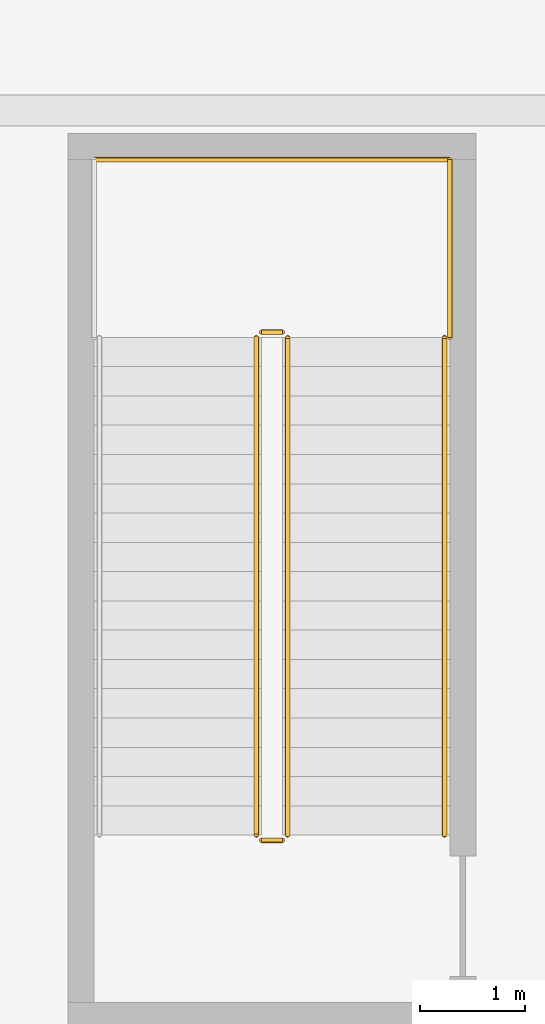
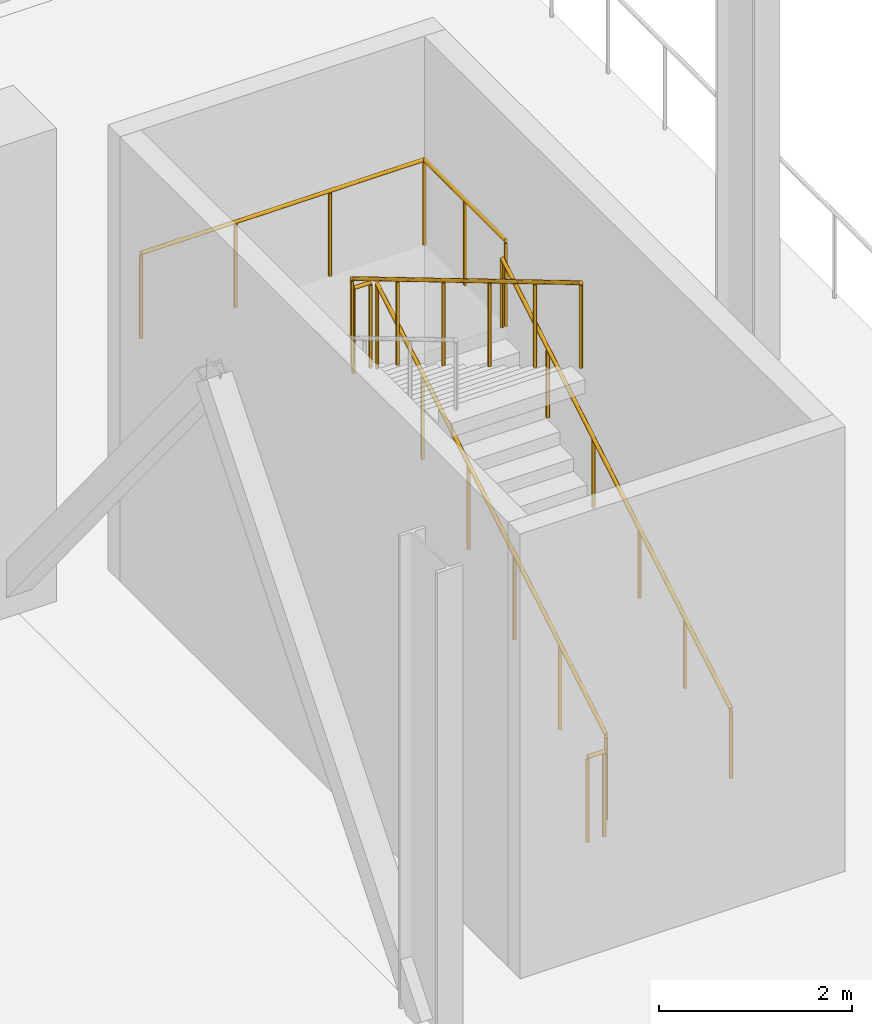
# One storey, part 52 of 58: 7 railings.
"""IFC4 building model written with IfcOpenShell, lengths in metres."""

from ifc_helpers import new_model, si_unit, direction, frame, origin, origin_2d, place, context, subcontext, project, spatial, circle, extrude, material, type_object, element, save


model = new_model("IFC4")

# Units and contexts
model_context = context("Model", 3, precision=1e-05, world=origin(), true_north=direction((0.0, 1.0)))
body_context = subcontext(model_context, "Body", "Model", "MODEL_VIEW")
ifc_project = project(units=[si_unit("LENGTHUNIT", "METRE"), si_unit("AREAUNIT", "SQUARE_METRE"), si_unit("VOLUMEUNIT", "CUBIC_METRE"), si_unit("PLANEANGLEUNIT", "RADIAN"), si_unit("MASSUNIT", "GRAM", prefix="KILO")], contexts=[model_context])

# Site, building, storey
site_placement = place(None, origin())
site = spatial("IfcSite", under=ifc_project, at=site_placement, CompositionType="ELEMENT")
building_placement = place(site_placement, origin())
building = spatial("IfcBuilding", under=site, at=building_placement, Name="Barlavento Convention Centre", CompositionType="ELEMENT")
storey_placement = place(building_placement, origin())
storey = spatial("IfcBuildingStorey", under=building, at=storey_placement, Name="L00", CompositionType="ELEMENT", Elevation=0.0)

# Railings
ifc_material_1 = material(Name="Stainless steel and laminated glass balustrade", Category="steel")
railing_type_1 = type_object("IfcRailingType", Name="ARC-RAL-BAL-1100", PredefinedType="BALUSTRADE", material=ifc_material_1)
railing_1_placement = place(storey_placement, frame((129.300048828125, 83.070068359375, 0.166748046875)))
element("IfcRailing", 1, at=railing_1_placement, inside=storey, type_object=railing_type_1, Name="L00 ST12 stair guard 1", PredefinedType="BALUSTRADE", context=body_context, shape_type="SweptSolid", body=[
    extrude(circle(Radius=0.02392578125, at=origin_2d()), frame((0.0, 0.0, 1.076171875), z_axis=(0.0, 0.859299802514, 0.511472237174), x_axis=(-1.0, 0.0, 0.0)), (0.0, 0.0, 1.0), 5.539306640625),
    extrude(circle(Radius=0.02099609375, at=origin_2d()), origin(), (0.0, 0.0, 1.0), 1.052001953125),
    extrude(circle(Radius=0.02099609375, at=origin_2d()), frame((0.0, 0.951904296875, 0.566650390625)), (0.0, 0.0, 1.0), 1.052001953125),
    extrude(circle(Radius=0.02099609375, at=origin_2d()), frame((0.0, 1.904052734375, 1.13330078125)), (0.0, 0.0, 1.0), 1.052001953125),
    extrude(circle(Radius=0.02099609375, at=origin_2d()), frame((0.0, 2.85595703125, 1.699951171875)), (0.0, 0.0, 1.0), 1.052001953125),
    extrude(circle(Radius=0.02099609375, at=origin_2d()), frame((0.0, 3.80810546875, 2.2666015625)), (0.0, 0.0, 1.0), 1.052001953125),
    extrude(circle(Radius=0.02099609375, at=origin_2d()), frame((0.0, 4.760009765625, 2.833251953125)), (0.0, 0.0, 1.0), 1.052001953125),
])
railing_2_placement = place(storey_placement, frame((129.25, 87.8798828125, 3.0)))
element("IfcRailing", 2, at=railing_2_placement, inside=storey, type_object=railing_type_1, Name="L00 ST12 stair guard 2", PredefinedType="BALUSTRADE", context=body_context, shape_type="SweptSolid", body=[
    extrude(circle(Radius=0.02392578125, at=origin_2d()), frame((0.0, 0.0, 1.076171875), z_axis=(-1.0, 0.0, 0.0), x_axis=(0.0, -1.0, 0.0)), (0.0, 0.0, 1.0), 0.199951171875),
    extrude(circle(Radius=0.02099609375, at=origin_2d()), origin(), (0.0, 0.0, 1.0), 1.052001953125),
    extrude(circle(Radius=0.02099609375, at=origin_2d()), frame((-0.199951171875, 0.0, 0.0)), (0.0, 0.0, 1.0), 1.052001953125),
])
railing_3_placement = place(storey_placement, frame((129.0, 87.830078125, 3.166748046875)))
element("IfcRailing", 3, at=railing_3_placement, inside=storey, type_object=railing_type_1, Name="L00 ST12 stair guard 3", PredefinedType="BALUSTRADE", context=body_context, shape_type="SweptSolid", body=[
    extrude(circle(Radius=0.02392578125, at=origin_2d()), frame((0.0, 0.0, 1.076171875), z_axis=(0.0, -0.859299802514, 0.511472237174), x_axis=(1.0, 0.0, 0.0)), (0.0, 0.0, 1.0), 5.539306640625),
    extrude(circle(Radius=0.02099609375, at=origin_2d()), origin(), (0.0, 0.0, 1.0), 1.052001953125),
    extrude(circle(Radius=0.02099609375, at=origin_2d()), frame((0.0, -0.951904296875, 0.566650390625)), (0.0, 0.0, 1.0), 1.052001953125),
    extrude(circle(Radius=0.02099609375, at=origin_2d()), frame((0.0, -1.904052734375, 1.13330078125)), (0.0, 0.0, 1.0), 1.052001953125),
    extrude(circle(Radius=0.02099609375, at=origin_2d()), frame((0.0, -2.85595703125, 1.699951171875)), (0.0, 0.0, 1.0), 1.052001953125),
    extrude(circle(Radius=0.02099609375, at=origin_2d()), frame((0.0, -3.80810546875, 2.2666015625)), (0.0, 0.0, 1.0), 1.052001953125),
    extrude(circle(Radius=0.02099609375, at=origin_2d()), frame((0.0, -4.760009765625, 2.833251953125)), (0.0, 0.0, 1.0), 1.052001953125),
])
railing_4_placement = place(storey_placement, frame((129.25, 83.02001953125, 0.0)))
element("IfcRailing", 4, at=railing_4_placement, inside=storey, type_object=railing_type_1, Name="L00 ST12 stair guard 4", PredefinedType="BALUSTRADE", context=body_context, shape_type="SweptSolid", body=[
    extrude(circle(Radius=0.02392578125, at=origin_2d()), frame((0.0, 0.0, 1.076171875), z_axis=(-1.0, 0.0, 0.0), x_axis=(0.0, -1.0, 0.0)), (0.0, 0.0, 1.0), 0.199951171875),
    extrude(circle(Radius=0.02099609375, at=origin_2d()), origin(), (0.0, 0.0, 1.0), 1.052001953125),
    extrude(circle(Radius=0.02099609375, at=origin_2d()), frame((-0.199951171875, 0.0, 0.0)), (0.0, 0.0, 1.0), 1.052001953125),
])
railing_5_placement = place(storey_placement, frame((130.85009765625, 87.830078125, 3.0)))
element("IfcRailing", 5, at=railing_5_placement, inside=storey, type_object=railing_type_1, Name="L00 landing guard GR01", PredefinedType="BALUSTRADE", context=body_context, shape_type="SweptSolid", body=[
    extrude(circle(Radius=0.02392578125, at=origin_2d()), frame((0.0, 0.0, 1.076171875), z_axis=(0.0, 1.0, 0.0), x_axis=(-1.0, 0.0, 0.0)), (0.0, 0.0, 1.0), 1.699951171875),
    extrude(circle(Radius=0.02099609375, at=origin_2d()), origin(), (0.0, 0.0, 1.0), 1.052001953125),
    extrude(circle(Radius=0.02099609375, at=origin_2d()), frame((0.0, 0.85009765625, 0.0)), (0.0, 0.0, 1.0), 1.052001953125),
    extrude(circle(Radius=0.02099609375, at=origin_2d()), frame((0.0, 1.699951171875, 0.0)), (0.0, 0.0, 1.0), 1.052001953125),
])
railing_6_placement = place(storey_placement, frame((130.85009765625, 89.530029296875, 3.0)))
element("IfcRailing", 6, at=railing_6_placement, inside=storey, type_object=railing_type_1, Name="L00 landing guard GR01", PredefinedType="BALUSTRADE", context=body_context, shape_type="SweptSolid", body=[
    extrude(circle(Radius=0.02392578125, at=origin_2d()), frame((0.0, 0.0, 1.076171875), z_axis=(-1.0, 0.0, 0.0), x_axis=(0.0, -1.0, 0.0)), (0.0, 0.0, 1.0), 3.400146484375),
    extrude(circle(Radius=0.02099609375, at=origin_2d()), origin(), (0.0, 0.0, 1.0), 1.052001953125),
    extrude(circle(Radius=0.02099609375, at=origin_2d()), frame((-1.13330078125, 0.0, 0.0)), (0.0, 0.0, 1.0), 1.052001953125),
    extrude(circle(Radius=0.02099609375, at=origin_2d()), frame((-2.266845703125, 0.0, 0.0)), (0.0, 0.0, 1.0), 1.052001953125),
    extrude(circle(Radius=0.02099609375, at=origin_2d()), frame((-3.400146484375, 0.0, 0.0)), (0.0, 0.0, 1.0), 1.052001953125),
])
ifc_material_2 = material(Name="Brushed stainless steel tubular handrail", Category="steel")
railing_type_2 = type_object("IfcRailingType", Name="ARC-RAL-HR-900", PredefinedType="HANDRAIL", material=ifc_material_2)
railing_7_placement = place(storey_placement, frame((130.800048828125, 83.070068359375, 0.166748046875)))
element("IfcRailing", 7, at=railing_7_placement, inside=storey, type_object=railing_type_2, Name="L00 ST12 stair handrail 1", PredefinedType="HANDRAIL", context=body_context, shape_type="SweptSolid", body=[
    extrude(circle(Radius=0.02392578125, at=origin_2d()), frame((0.0, 0.0, 0.8759765625), z_axis=(0.0, 0.859299802514, 0.511472237174), x_axis=(-1.0, 0.0, 0.0)), (0.0, 0.0, 1.0), 5.539306640625),
    extrude(circle(Radius=0.02099609375, at=origin_2d()), origin(), (0.0, 0.0, 1.0), 0.851806640625),
    extrude(circle(Radius=0.02099609375, at=origin_2d()), frame((0.0, 0.951904296875, 0.566650390625)), (0.0, 0.0, 1.0), 0.851806640625),
    extrude(circle(Radius=0.02099609375, at=origin_2d()), frame((0.0, 1.904052734375, 1.13330078125)), (0.0, 0.0, 1.0), 0.851806640625),
    extrude(circle(Radius=0.02099609375, at=origin_2d()), frame((0.0, 2.85595703125, 1.699951171875)), (0.0, 0.0, 1.0), 0.851806640625),
    extrude(circle(Radius=0.02099609375, at=origin_2d()), frame((0.0, 3.80810546875, 2.2666015625)), (0.0, 0.0, 1.0), 0.851806640625),
    extrude(circle(Radius=0.02099609375, at=origin_2d()), frame((0.0, 4.760009765625, 2.833251953125)), (0.0, 0.0, 1.0), 0.851806640625),
])

save(model, "model.ifc")
